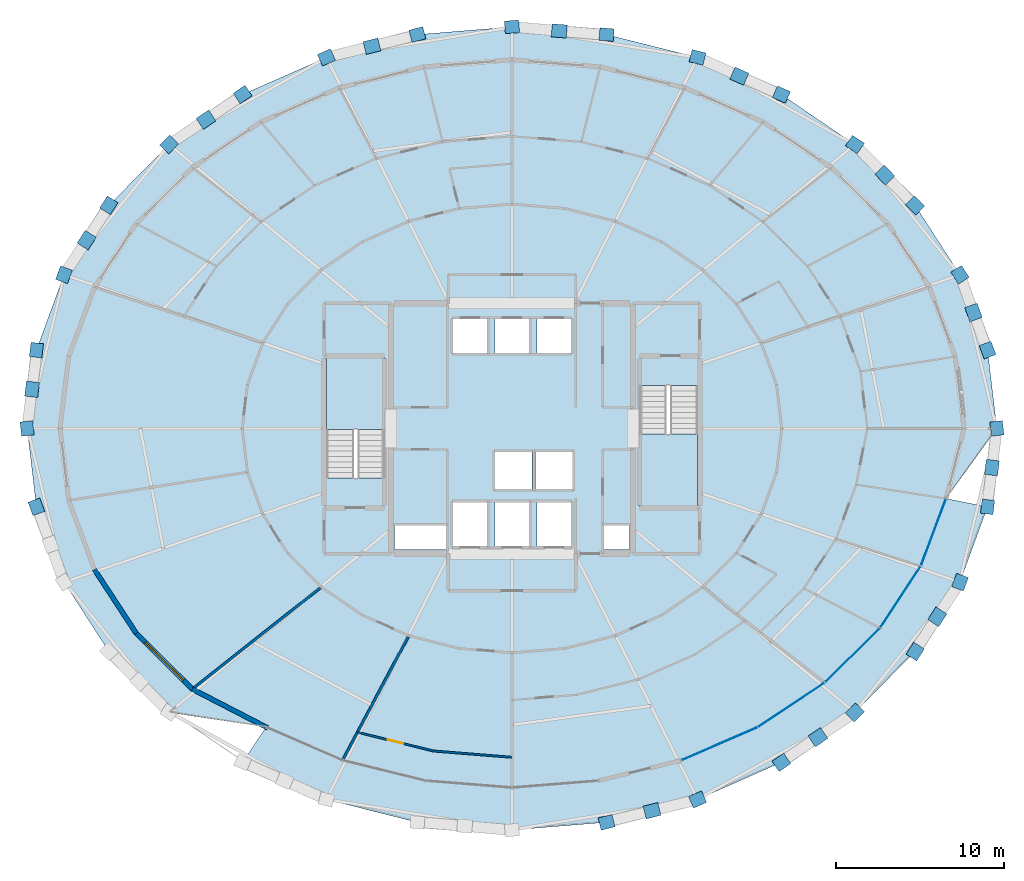
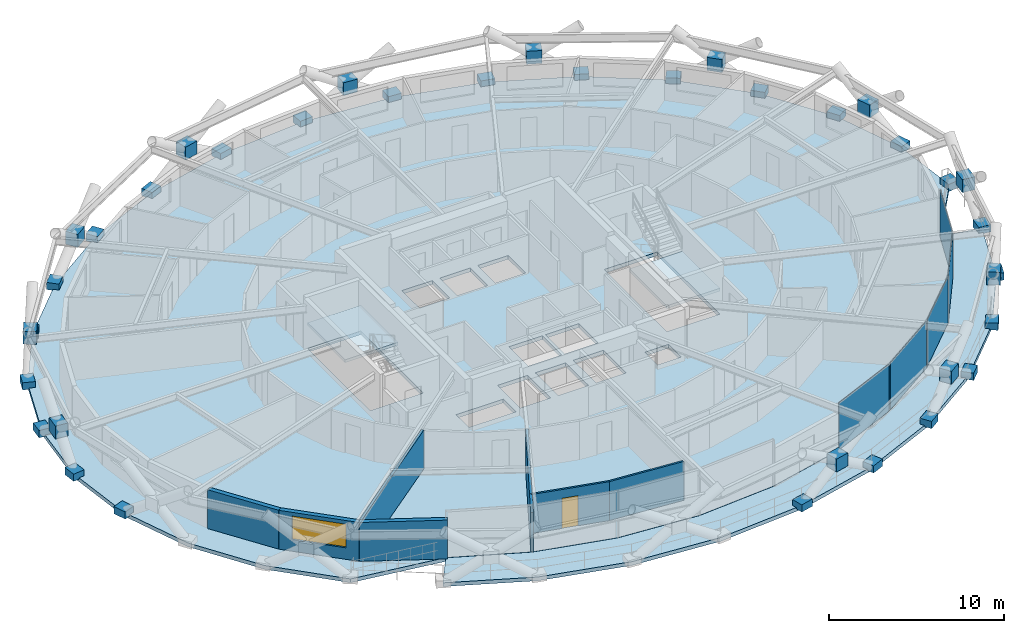
# One storey, part 13 of 21: 42 plates, 7 walls, 4 slabs, 1 door, 1 window, 2 openings, 3 elements without a shape of their own.
"""IFC4 building model written with IfcOpenShell, lengths in metres."""

from ifc_helpers import new_model, si_unit, direction, frame, frame_2d, origin, origin_2d, place, context, subcontext, project, spatial, polyline, rectangle, outline, extrude, material, layer, layer_set, type_object, element, fill, aggregate, save


model = new_model("IFC4")

# Units and contexts
model_context = context("Model", 3, precision=1e-05, world=origin(), true_north=direction((0.0, 1.0)))
body_context = subcontext(model_context, "Body", "Model", "MODEL_VIEW")
ifc_project = project(units=[si_unit("LENGTHUNIT", "METRE"), si_unit("AREAUNIT", "SQUARE_METRE"), si_unit("VOLUMEUNIT", "CUBIC_METRE"), si_unit("PLANEANGLEUNIT", "RADIAN"), si_unit("MASSUNIT", "GRAM", prefix="KILO")], contexts=[model_context])

# Site, building, storey
site_placement = place(None, origin())
site = spatial("IfcSite", under=ifc_project, at=site_placement, CompositionType="ELEMENT")
building_placement = place(site_placement, origin())
building = spatial("IfcBuilding", under=site, at=building_placement, Name="Veldorina Hangang Commons", CompositionType="ELEMENT")
storey_placement = place(building_placement, frame((0.0, 0.0, 98.800048828125)))
storey = spatial("IfcBuildingStorey", under=building, at=storey_placement, Name="L25", CompositionType="ELEMENT", Elevation=98.800048828125)

# Curtain wall, plates
ifc_material_1 = material(Name="Glass Low-E Triple IGU", Category="glass")
ifc_layer_1 = layer(ifc_material_1, 0.179931640625)
ifc_layer_set_1 = layer_set([ifc_layer_1], Name="Glass Low-E Triple IGU")
curtain_wall_type = type_object("IfcCurtainWallType", Name="CW-SYS-Z1", PredefinedType="NOTDEFINED", material=ifc_layer_set_1)
curtain_wall_placement = place(storey_placement, origin())
curtain_wall = element("IfcCurtainWall", 1, at=curtain_wall_placement, inside=storey, type_object=curtain_wall_type, Name="L25 unitised curtain wall CW-L25-R2", PredefinedType="NOTDEFINED")
ifc_layer_2 = layer(ifc_material_1, 0.0400390625)
ifc_layer_set_2 = layer_set([ifc_layer_2], Name="Glass Low-E Triple IGU")
plate_type_1 = type_object("IfcPlateType", Name="CW-PNL-VIS", PredefinedType="CURTAIN_PANEL", material=ifc_layer_set_2)
plate_1_placement = place(storey_placement, frame((44.3544921875, 5.236572265625, 0.014892578125), z_axis=(0.0, 0.0, 1.0), x_axis=(0.917359073914, 0.398060710832, 0.0)))
plate_1 = element("IfcPlate", 2, at=plate_1_placement, type_object=plate_type_1, Name="CW-L25-R2 facet 1 glazed vision panel", PredefinedType="CURTAIN_PANEL", context=body_context, shape_type="SweptSolid", body=[
    extrude(rectangle(XDim=4.783203125, YDim=0.0400390625, at=origin_2d()), origin(), (0.0, 0.0, 1.0), 3.27001953125),
])
plate_2_placement = place(storey_placement, frame((48.626220703125, 7.5537109375, 0.014892578125), z_axis=(0.0, 0.0, 1.0), x_axis=(0.832225170915, 0.554437791728, 0.0)))
plate_2 = element("IfcPlate", 3, at=plate_2_placement, type_object=plate_type_1, Name="CW-L25-R2 facet 2 glazed vision panel", PredefinedType="CURTAIN_PANEL", context=body_context, shape_type="SweptSolid", body=[
    extrude(rectangle(XDim=4.615234375, YDim=0.0400390625, at=origin_2d()), origin(), (0.0, 0.0, 1.0), 3.27001953125),
])
plate_3_placement = place(storey_placement, frame((52.25927734375, 10.5029296875, 0.014892578125), z_axis=(0.0, 0.0, 1.0), x_axis=(0.710946776924, 0.703245817891, 0.0)))
plate_3 = element("IfcPlate", 4, at=plate_3_placement, type_object=plate_type_1, Name="CW-L25-R2 facet 3 glazed vision panel", PredefinedType="CURTAIN_PANEL", context=body_context, shape_type="SweptSolid", body=[
    extrude(rectangle(XDim=4.4267578125, YDim=0.0400390625, at=origin_2d()), origin(), (0.0, 0.0, 1.0), 3.27001953125),
])
plate_4_placement = place(storey_placement, frame((55.113525390625, 13.970703125, 0.014892578125), z_axis=(0.0, 0.0, 1.0), x_axis=(0.549926926986, 0.835212772278, 0.0)))
plate_4 = element("IfcPlate", 5, at=plate_4_placement, type_object=plate_type_1, Name="CW-L25-R2 facet 4 glazed vision panel", PredefinedType="CURTAIN_PANEL", context=body_context, shape_type="SweptSolid", body=[
    extrude(rectangle(XDim=4.245361328125, YDim=0.0400390625, at=origin_2d()), origin(), (0.0, 0.0, 1.0), 3.27001953125),
])
plate_5_placement = place(storey_placement, frame((57.07958984375, 17.823974609375, 0.014892578125), z_axis=(0.0, 0.0, 1.0), x_axis=(0.350027546656, 0.936739406976, 0.0)))
plate_5 = element("IfcPlate", 6, at=plate_5_placement, type_object=plate_type_1, Name="CW-L25-R2 facet 5 glazed vision panel", PredefinedType="CURTAIN_PANEL", context=body_context, shape_type="SweptSolid", body=[
    extrude(rectangle(XDim=4.101318359375, YDim=0.0400390625, at=origin_2d()), origin(), (0.0, 0.0, 1.0), 3.27001953125),
])
aggregate(curtain_wall, [plate_1, plate_2, plate_3, plate_4, plate_5])

# Plates
ifc_material_2 = material(Name="Steel SM460-TMC", Category="steel")
ifc_layer_3 = layer(ifc_material_2, 0.035888671875)
ifc_layer_set_3 = layer_set([ifc_layer_3], Name="Steel SM460-TMC")
plate_type_2 = type_object("IfcPlateType", Name="PL-STAR-36", PredefinedType="USERDEFINED", material=ifc_layer_set_3)
for number, where, z_axis, x_axis, name in (
    (7, (60.85498046875, 24.0, -0.090087890625), (0.0, 0.0, 1.0), (-0.11807468197, 0.993004717752, 0.0), "L25 diagrid star-node gusset plate 00"),
    (8, (60.300537109375, 28.662353515625, -0.090087890625), (0.0, 0.0, 1.0), (-0.343938314328, 0.938992244876, 0.0), "L25 diagrid star-node gusset plate 01"),
):
    element("IfcPlate", number, at=place(storey_placement, frame(where, z_axis=z_axis, x_axis=x_axis)), inside=storey, type_object=plate_type_2, Name=name, ObjectType="GUSSET PLATE", PredefinedType="USERDEFINED", context=body_context, shape_type="SweptSolid", body=[
        extrude(rectangle(XDim=0.85009765625, YDim=0.75, at=origin_2d()), origin(), (0.0, 0.0, 1.0), 0.5),
    ])
plate_6_placement = place(storey_placement, frame((59.462890625, 30.900390625, 1.35107421875), z_axis=(0.0, 0.0, 1.0), x_axis=(-0.343938314328, 0.938992244876, 0.0)))
element("IfcPlate", 9, at=plate_6_placement, inside=storey, type_object=plate_type_2, Name="L25 diagrid X-crossing star-node gusset plate 01", ObjectType="GUSSET PLATE", PredefinedType="USERDEFINED", context=body_context, shape_type="SweptSolid", body=[
    extrude(rectangle(XDim=0.89990234375, YDim=0.780029296875, at=origin_2d()), origin(), (0.0, 0.0, 1.0), 0.89990234375),
])
for number, where, z_axis, x_axis, name in (
    (10, (58.658447265625, 33.1455078125, -0.090087890625), (0.0, 0.0, 1.0), (-0.542236246892, 0.84022607229, 0.0), "L25 diagrid star-node gusset plate 02"),
    (11, (55.9921875, 37.27734375, -0.090087890625), (0.0, 0.0, 1.0), (-0.703865968139, 0.710332808545, 0.0), "L25 diagrid star-node gusset plate 03"),
):
    element("IfcPlate", number, at=place(storey_placement, frame(where, z_axis=z_axis, x_axis=x_axis)), inside=storey, type_object=plate_type_2, Name=name, ObjectType="GUSSET PLATE", PredefinedType="USERDEFINED", context=body_context, shape_type="SweptSolid", body=[
        extrude(rectangle(XDim=0.85009765625, YDim=0.75, at=origin_2d()), origin(), (0.0, 0.0, 1.0), 0.5),
    ])
plate_7_placement = place(storey_placement, frame((54.184326171875, 39.080322265625, 1.35107421875), z_axis=(0.0, 0.0, 1.0), x_axis=(-0.703865968139, 0.710332808545, 0.0)))
element("IfcPlate", 12, at=plate_7_placement, inside=storey, type_object=plate_type_2, Name="L25 diagrid X-crossing star-node gusset plate 03", ObjectType="GUSSET PLATE", PredefinedType="USERDEFINED", context=body_context, shape_type="SweptSolid", body=[
    extrude(rectangle(XDim=0.89990234375, YDim=0.780029296875, at=origin_2d()), origin(), (0.0, 0.0, 1.0), 0.89990234375),
])
for number, where, z_axis, x_axis, name in (
    (13, (52.403564453125, 40.898681640625, -0.090087890625), (0.0, 0.0, 1.0), (-0.827041331437, 0.562141117599, 0.0), "L25 diagrid star-node gusset plate 04"),
    (14, (48.031005859375, 43.870849609375, -0.090087890625), (0.0, 0.0, 1.0), (-0.914409451036, 0.404790508605, 0.0), "L25 diagrid star-node gusset plate 05"),
):
    element("IfcPlate", number, at=place(storey_placement, frame(where, z_axis=z_axis, x_axis=x_axis)), inside=storey, type_object=plate_type_2, Name=name, ObjectType="GUSSET PLATE", PredefinedType="USERDEFINED", context=body_context, shape_type="SweptSolid", body=[
        extrude(rectangle(XDim=0.85009765625, YDim=0.75, at=origin_2d()), origin(), (0.0, 0.0, 1.0), 0.5),
    ])
plate_8_placement = place(storey_placement, frame((45.5283203125, 44.96435546875, 1.35107421875), z_axis=(0.0, 0.0, 1.0), x_axis=(-0.914409451036, 0.404790508605, 0.0)))
element("IfcPlate", 15, at=plate_8_placement, inside=storey, type_object=plate_type_2, Name="L25 diagrid X-crossing star-node gusset plate 05", ObjectType="GUSSET PLATE", PredefinedType="USERDEFINED", context=body_context, shape_type="SweptSolid", body=[
    extrude(rectangle(XDim=0.89990234375, YDim=0.780029296875, at=origin_2d()), origin(), (0.0, 0.0, 1.0), 0.89990234375),
])
for number, where, z_axis, x_axis, name in (
    (16, (43.042236328125, 46.079345703125, -0.090087890625), (0.0, 0.0, 1.0), (-0.969859258303, 0.243665793832, 0.0), "L25 diagrid star-node gusset plate 06"),
    (17, (37.62939453125, 47.439208984375, -0.090087890625), (0.0, 0.0, 1.0), (-0.996690092585, 0.081294891247, 0.0), "L25 diagrid star-node gusset plate 07"),
):
    element("IfcPlate", number, at=place(storey_placement, frame(where, z_axis=z_axis, x_axis=x_axis)), inside=storey, type_object=plate_type_2, Name=name, ObjectType="GUSSET PLATE", PredefinedType="USERDEFINED", context=body_context, shape_type="SweptSolid", body=[
        extrude(rectangle(XDim=0.85009765625, YDim=0.75, at=origin_2d()), origin(), (0.0, 0.0, 1.0), 0.5),
    ])
plate_9_placement = place(storey_placement, frame((34.81298828125, 47.656494140625, 1.35107421875), z_axis=(0.0, 0.0, 1.0), x_axis=(-0.996690092585, 0.081294891247, 0.0)))
element("IfcPlate", 18, at=plate_9_placement, inside=storey, type_object=plate_type_2, Name="L25 diagrid X-crossing star-node gusset plate 07", ObjectType="GUSSET PLATE", PredefinedType="USERDEFINED", context=body_context, shape_type="SweptSolid", body=[
    extrude(rectangle(XDim=0.89990234375, YDim=0.780029296875, at=origin_2d()), origin(), (0.0, 0.0, 1.0), 0.89990234375),
])
for number, where, z_axis, x_axis, name in (
    (19, (32.0, 47.8984375, -0.090087890625), (0.0, 0.0, 1.0), (-0.996690092585, -0.081294891247, 0.0), "L25 diagrid star-node gusset plate 08"),
    (20, (26.37060546875, 47.439208984375, -0.090087890625), (0.0, 0.0, 1.0), (-0.969859258303, -0.243665793832, 0.0), "L25 diagrid star-node gusset plate 09"),
):
    element("IfcPlate", number, at=place(storey_placement, frame(where, z_axis=z_axis, x_axis=x_axis)), inside=storey, type_object=plate_type_2, Name=name, ObjectType="GUSSET PLATE", PredefinedType="USERDEFINED", context=body_context, shape_type="SweptSolid", body=[
        extrude(rectangle(XDim=0.85009765625, YDim=0.75, at=origin_2d()), origin(), (0.0, 0.0, 1.0), 0.5),
    ])
plate_10_placement = place(storey_placement, frame((23.669189453125, 46.747314453125, 1.35107421875), z_axis=(0.0, 0.0, 1.0), x_axis=(-0.969859258303, -0.243665793832, 0.0)))
element("IfcPlate", 21, at=plate_10_placement, inside=storey, type_object=plate_type_2, Name="L25 diagrid X-crossing star-node gusset plate 09", ObjectType="GUSSET PLATE", PredefinedType="USERDEFINED", context=body_context, shape_type="SweptSolid", body=[
    extrude(rectangle(XDim=0.89990234375, YDim=0.780029296875, at=origin_2d()), origin(), (0.0, 0.0, 1.0), 0.89990234375),
])
for number, where, z_axis, x_axis, name in (
    (22, (20.957763671875, 46.079345703125, -0.090087890625), (0.0, 0.0, 1.0), (-0.914409451036, -0.404790508605, 0.0), "L25 diagrid star-node gusset plate 10"),
    (23, (15.968994140625, 43.870849609375, -0.090087890625), (0.0, 0.0, 1.0), (-0.827041331437, -0.562141117599, 0.0), "L25 diagrid star-node gusset plate 11"),
):
    element("IfcPlate", number, at=place(storey_placement, frame(where, z_axis=z_axis, x_axis=x_axis)), inside=storey, type_object=plate_type_2, Name=name, ObjectType="GUSSET PLATE", PredefinedType="USERDEFINED", context=body_context, shape_type="SweptSolid", body=[
        extrude(rectangle(XDim=0.85009765625, YDim=0.75, at=origin_2d()), origin(), (0.0, 0.0, 1.0), 0.5),
    ])
plate_11_placement = place(storey_placement, frame((13.7939453125, 42.375244140625, 1.35107421875), z_axis=(0.0, 0.0, 1.0), x_axis=(-0.827041331437, -0.562141117599, 0.0)))
element("IfcPlate", 24, at=plate_11_placement, inside=storey, type_object=plate_type_2, Name="L25 diagrid X-crossing star-node gusset plate 11", ObjectType="GUSSET PLATE", PredefinedType="USERDEFINED", context=body_context, shape_type="SweptSolid", body=[
    extrude(rectangle(XDim=0.89990234375, YDim=0.780029296875, at=origin_2d()), origin(), (0.0, 0.0, 1.0), 0.89990234375),
])
for number, where, z_axis, x_axis, name in (
    (25, (11.596435546875, 40.898681640625, -0.090087890625), (0.0, 0.0, 1.0), (-0.703865968139, -0.710332808545, 0.0), "L25 diagrid star-node gusset plate 12"),
    (26, (8.0078125, 37.27734375, -0.090087890625), (0.0, 0.0, 1.0), (-0.542236246892, -0.84022607229, 0.0), "L25 diagrid star-node gusset plate 13"),
):
    element("IfcPlate", number, at=place(storey_placement, frame(where, z_axis=z_axis, x_axis=x_axis)), inside=storey, type_object=plate_type_2, Name=name, ObjectType="GUSSET PLATE", PredefinedType="USERDEFINED", context=body_context, shape_type="SweptSolid", body=[
        extrude(rectangle(XDim=0.85009765625, YDim=0.75, at=origin_2d()), origin(), (0.0, 0.0, 1.0), 0.5),
    ])
plate_12_placement = place(storey_placement, frame((6.690185546875, 35.20556640625, 1.35107421875), z_axis=(0.0, 0.0, 1.0), x_axis=(-0.542236246892, -0.84022607229, 0.0)))
element("IfcPlate", 27, at=plate_12_placement, inside=storey, type_object=plate_type_2, Name="L25 diagrid X-crossing star-node gusset plate 13", ObjectType="GUSSET PLATE", PredefinedType="USERDEFINED", context=body_context, shape_type="SweptSolid", body=[
    extrude(rectangle(XDim=0.89990234375, YDim=0.780029296875, at=origin_2d()), origin(), (0.0, 0.0, 1.0), 0.89990234375),
])
for number, where, z_axis, x_axis, name in (
    (28, (5.341552734375, 33.1455078125, -0.090087890625), (0.0, 0.0, 1.0), (-0.343938314328, -0.938992244876, 0.0), "L25 diagrid star-node gusset plate 14"),
    (29, (3.699462890625, 28.662353515625, -0.090087890625), (0.0, 0.0, 1.0), (-0.11807468197, -0.993004717752, 0.0), "L25 diagrid star-node gusset plate 15"),
):
    element("IfcPlate", number, at=place(storey_placement, frame(where, z_axis=z_axis, x_axis=x_axis)), inside=storey, type_object=plate_type_2, Name=name, ObjectType="GUSSET PLATE", PredefinedType="USERDEFINED", context=body_context, shape_type="SweptSolid", body=[
        extrude(rectangle(XDim=0.85009765625, YDim=0.75, at=origin_2d()), origin(), (0.0, 0.0, 1.0), 0.5),
    ])
plate_13_placement = place(storey_placement, frame((3.439697265625, 26.330078125, 1.350830078125), z_axis=(0.0, 0.0, 1.0), x_axis=(-0.11807468197, -0.993004717752, 0.0)))
element("IfcPlate", 30, at=plate_13_placement, inside=storey, type_object=plate_type_2, Name="L25 diagrid X-crossing star-node gusset plate 15", ObjectType="GUSSET PLATE", PredefinedType="USERDEFINED", context=body_context, shape_type="SweptSolid", body=[
    extrude(rectangle(XDim=0.89990234375, YDim=0.780029296875, at=origin_2d()), origin(), (0.0, 0.0, 1.0), 0.89990234375),
])
for number, where, z_axis, x_axis, name in (
    (31, (3.14501953125, 24.0, -0.090087890625), (0.0, 0.0, 1.0), (0.11807468197, -0.993004717752, 0.0), "L25 diagrid star-node gusset plate 16"),
    (32, (3.699462890625, 19.337646484375, -0.090087890625), (0.0, 0.0, 1.0), (0.343938314328, -0.938992244876, 0.0), "L25 diagrid star-node gusset plate 17"),
    (33, (37.62939453125, 0.560791015625, -0.090087890625), (0.0, 0.0, 1.0), (0.969859258303, 0.243665793832, 0.0), "L25 diagrid star-node gusset plate 25"),
):
    element("IfcPlate", number, at=place(storey_placement, frame(where, z_axis=z_axis, x_axis=x_axis)), inside=storey, type_object=plate_type_2, Name=name, ObjectType="GUSSET PLATE", PredefinedType="USERDEFINED", context=body_context, shape_type="SweptSolid", body=[
        extrude(rectangle(XDim=0.85009765625, YDim=0.75, at=origin_2d()), origin(), (0.0, 0.0, 1.0), 0.5),
    ])
plate_14_placement = place(storey_placement, frame((40.330810546875, 1.252685546875, 1.35107421875), z_axis=(0.0, 0.0, 1.0), x_axis=(0.969859258303, 0.243665793832, 0.0)))
element("IfcPlate", 34, at=plate_14_placement, inside=storey, type_object=plate_type_2, Name="L25 diagrid X-crossing star-node gusset plate 25", ObjectType="GUSSET PLATE", PredefinedType="USERDEFINED", context=body_context, shape_type="SweptSolid", body=[
    extrude(rectangle(XDim=0.89990234375, YDim=0.780029296875, at=origin_2d()), origin(), (0.0, 0.0, 1.0), 0.89990234375),
])
for number, where, z_axis, x_axis, name in (
    (35, (43.042236328125, 1.920654296875, -0.090087890625), (0.0, 0.0, 1.0), (0.914409451036, 0.404790508605, 0.0), "L25 diagrid star-node gusset plate 26"),
    (36, (48.031005859375, 4.129150390625, -0.090087890625), (0.0, 0.0, 1.0), (0.827041331437, 0.562141117599, 0.0), "L25 diagrid star-node gusset plate 27"),
):
    element("IfcPlate", number, at=place(storey_placement, frame(where, z_axis=z_axis, x_axis=x_axis)), inside=storey, type_object=plate_type_2, Name=name, ObjectType="GUSSET PLATE", PredefinedType="USERDEFINED", context=body_context, shape_type="SweptSolid", body=[
        extrude(rectangle(XDim=0.85009765625, YDim=0.75, at=origin_2d()), origin(), (0.0, 0.0, 1.0), 0.5),
    ])
plate_15_placement = place(storey_placement, frame((50.2060546875, 5.624755859375, 1.35107421875), z_axis=(0.0, 0.0, 1.0), x_axis=(0.827041331437, 0.562141117599, 0.0)))
element("IfcPlate", 37, at=plate_15_placement, inside=storey, type_object=plate_type_2, Name="L25 diagrid X-crossing star-node gusset plate 27", ObjectType="GUSSET PLATE", PredefinedType="USERDEFINED", context=body_context, shape_type="SweptSolid", body=[
    extrude(rectangle(XDim=0.89990234375, YDim=0.780029296875, at=origin_2d()), origin(), (0.0, 0.0, 1.0), 0.89990234375),
])
for number, where, z_axis, x_axis, name in (
    (38, (52.403564453125, 7.101318359375, -0.090087890625), (0.0, 0.0, 1.0), (0.703865968139, 0.710332808545, 0.0), "L25 diagrid star-node gusset plate 28"),
    (39, (55.9921875, 10.72265625, -0.090087890625), (0.0, 0.0, 1.0), (0.542236246892, 0.84022607229, 0.0), "L25 diagrid star-node gusset plate 29"),
):
    element("IfcPlate", number, at=place(storey_placement, frame(where, z_axis=z_axis, x_axis=x_axis)), inside=storey, type_object=plate_type_2, Name=name, ObjectType="GUSSET PLATE", PredefinedType="USERDEFINED", context=body_context, shape_type="SweptSolid", body=[
        extrude(rectangle(XDim=0.85009765625, YDim=0.75, at=origin_2d()), origin(), (0.0, 0.0, 1.0), 0.5),
    ])
plate_16_placement = place(storey_placement, frame((57.309814453125, 12.79443359375, 1.35107421875), z_axis=(0.0, 0.0, 1.0), x_axis=(0.542236246892, 0.84022607229, 0.0)))
element("IfcPlate", 40, at=plate_16_placement, inside=storey, type_object=plate_type_2, Name="L25 diagrid X-crossing star-node gusset plate 29", ObjectType="GUSSET PLATE", PredefinedType="USERDEFINED", context=body_context, shape_type="SweptSolid", body=[
    extrude(rectangle(XDim=0.89990234375, YDim=0.780029296875, at=origin_2d()), origin(), (0.0, 0.0, 1.0), 0.89990234375),
])
for number, where, z_axis, x_axis, name in (
    (41, (58.658447265625, 14.8544921875, -0.090087890625), (0.0, 0.0, 1.0), (0.343938314328, 0.938992244876, 0.0), "L25 diagrid star-node gusset plate 30"),
    (42, (60.300537109375, 19.337646484375, -0.090087890625), (0.0, 0.0, 1.0), (0.11807468197, 0.993004717752, 0.0), "L25 diagrid star-node gusset plate 31"),
):
    element("IfcPlate", number, at=place(storey_placement, frame(where, z_axis=z_axis, x_axis=x_axis)), inside=storey, type_object=plate_type_2, Name=name, ObjectType="GUSSET PLATE", PredefinedType="USERDEFINED", context=body_context, shape_type="SweptSolid", body=[
        extrude(rectangle(XDim=0.85009765625, YDim=0.75, at=origin_2d()), origin(), (0.0, 0.0, 1.0), 0.5),
    ])
plate_17_placement = place(storey_placement, frame((60.560302734375, 21.669921875, 1.350830078125), z_axis=(0.0, 0.0, 1.0), x_axis=(0.11807468197, 0.993004717752, 0.0)))
element("IfcPlate", 43, at=plate_17_placement, inside=storey, type_object=plate_type_2, Name="L25 diagrid X-crossing star-node gusset plate 31", ObjectType="GUSSET PLATE", PredefinedType="USERDEFINED", context=body_context, shape_type="SweptSolid", body=[
    extrude(rectangle(XDim=0.89990234375, YDim=0.780029296875, at=origin_2d()), origin(), (0.0, 0.0, 1.0), 0.89990234375),
])

# Slabs
ifc_material_3 = material(Name="Concrete C40/50", Category="concrete")
ifc_layer_4 = layer(ifc_material_3, 0.260009765625)
ifc_layer_set_4 = layer_set([ifc_layer_4], Name="Concrete C40/50")
slab_type_1 = type_object("IfcSlabType", Name="SL-FLR-260", PredefinedType="FLOOR", material=ifc_layer_set_4)
slab_1_placement = place(storey_placement, frame((0.0, 0.0, -0.260009765625)))
element("IfcSlab", 44, at=slab_1_placement, inside=storey, type_object=slab_type_1, Name="L25 tower structural floor slab", PredefinedType="FLOOR", context=body_context, shape_type="SweptSolid", body=[
    extrude(outline(polyline([(60.85498046875, 24.0), (60.300537109375, 28.662353515625), (58.658447265625, 33.1455078125), (55.9921875, 37.27734375), (52.403564453125, 40.898681640625), (48.031005859375, 43.870849609375), (43.042236328125, 46.079345703125), (37.62939453125, 47.439208984375), (32.0, 47.8984375), (26.37060546875, 47.439208984375), (20.957763671875, 46.079345703125), (15.968994140625, 43.870849609375), (11.596435546875, 40.898681640625), (8.0078125, 37.27734375), (5.341552734375, 33.1455078125), (3.699462890625, 28.662353515625), (3.14501953125, 24.0), (3.699462890625, 19.337646484375), (5.341552734375, 14.8544921875), (8.0078125, 10.72265625), (11.596435546875, 7.101318359375), (17.369140625, 6.224365234375), (21.922119140625, 4.248779296875), (26.8623046875, 3.0322265625), (32.0, 2.62158203125), (37.1376953125, 3.0322265625), (42.077880859375, 4.248779296875), (46.630859375, 6.224365234375), (50.62158203125, 8.883056640625), (53.896728515625, 12.122802734375), (56.330322265625, 15.81884765625), (57.8291015625, 19.829345703125), (60.85498046875, 24.0)]), holes=[polyline([(20.949951171875, 21.05810546875), (20.949951171875, 28.199951171875), (24.449951171875, 28.199951171875), (24.449951171875, 21.05810546875), (20.949951171875, 21.05810546875)]), polyline([(43.050048828125, 26.5419921875), (43.050048828125, 19.39990234375), (39.550048828125, 19.39990234375), (39.550048828125, 26.5419921875), (43.050048828125, 26.5419921875)]), polyline([(28.5, 30.5), (30.5, 30.5), (30.5, 28.5), (28.5, 28.5), (28.5, 30.5)]), polyline([(31.0, 30.5), (33.0, 30.5), (33.0, 28.5), (31.0, 28.5), (31.0, 30.5)]), polyline([(33.5, 30.5), (35.5, 30.5), (35.5, 28.5), (33.5, 28.5), (33.5, 30.5)]), polyline([(31.0, 22.60009765625), (33.199951171875, 22.60009765625), (33.199951171875, 20.39990234375), (31.0, 20.39990234375), (31.0, 22.60009765625)]), polyline([(33.39990234375, 22.60009765625), (35.60009765625, 22.60009765625), (35.60009765625, 20.39990234375), (33.39990234375, 20.39990234375), (33.39990234375, 22.60009765625)]), polyline([(28.5, 19.60009765625), (30.5, 19.60009765625), (30.5, 17.0), (28.5, 17.0), (28.5, 19.60009765625)]), polyline([(31.0, 19.60009765625), (33.0, 19.60009765625), (33.0, 17.0), (31.0, 17.0), (31.0, 19.60009765625)]), polyline([(33.5, 19.60009765625), (35.5, 19.60009765625), (35.5, 17.0), (33.5, 17.0), (33.5, 19.60009765625)]), polyline([(25.0, 18.25), (28.10009765625, 18.25), (28.10009765625, 16.800048828125), (25.0, 16.800048828125), (25.0, 18.25)]), polyline([(37.449951171875, 18.25), (39.0, 18.25), (39.0, 16.800048828125), (37.449951171875, 16.800048828125), (37.449951171875, 18.25)])]), origin(), (0.0, 0.0, 1.0), 0.260009765625),
])
slab_2_placement = place(storey_placement, frame((0.0, 0.0, -0.260009765625)))
element("IfcSlab", 45, at=slab_2_placement, inside=storey, type_object=slab_type_1, Name="L25 sky-garden loggia outdoor slab", PredefinedType="FLOOR", context=body_context, shape_type="SweptSolid", body=[
    extrude(outline(polyline([(60.300537109375, 19.337646484375), (58.658447265625, 14.8544921875), (55.9921875, 10.72265625), (52.403564453125, 7.101318359375), (48.031005859375, 4.129150390625), (43.042236328125, 1.920654296875), (37.62939453125, 0.560791015625), (32.0, 0.1015625), (26.37060546875, 0.560791015625), (20.957763671875, 1.920654296875), (15.968994140625, 4.129150390625), (17.35986328125, 6.210693359375), (17.364990234375, 6.2099609375), (21.916015625, 4.235107421875), (21.917236328125, 4.234619140625), (21.91845703125, 4.234130859375), (26.858642578125, 3.017578125), (26.85986328125, 3.017578125), (26.861083984375, 3.017333984375), (31.998779296875, 2.6064453125), (32.0, 2.6064453125), (32.001220703125, 2.6064453125), (37.138916015625, 3.017333984375), (37.14013671875, 3.017578125), (37.141357421875, 3.017578125), (42.08154296875, 4.234130859375), (42.082763671875, 4.234619140625), (42.083984375, 4.235107421875), (46.636962890625, 6.210693359375), (46.63818359375, 6.211181640625), (46.63916015625, 6.2119140625), (50.6298828125, 8.87060546875), (50.631103515625, 8.87158203125), (50.632080078125, 8.872314453125), (53.9072265625, 12.112060546875), (53.908447265625, 12.11328125), (53.9091796875, 12.114501953125), (56.343017578125, 15.810546875), (56.34375, 15.81201171875), (56.344482421875, 15.8134765625), (57.84228515625, 19.822021484375), (57.84521484375, 19.826171875), (60.300537109375, 19.337646484375)])), origin(), (0.0, 0.0, 1.0), 0.260009765625),
])

# Stair, slab
stair_type = type_object("IfcStairType", Name="STR-DOG-1650-20R", PredefinedType="HALF_TURN_STAIR", material=ifc_material_3)
stair_1_placement = place(storey_placement, origin())
stair_1 = element("IfcStair", 46, at=stair_1_placement, inside=storey, type_object=stair_type, Name="L25 Exit stair ST-1", PredefinedType="HALF_TURN_STAIR")
ifc_layer_5 = layer(ifc_material_3, 0.199951171875)
ifc_layer_set_5 = layer_set([ifc_layer_5], Name="Concrete C40/50")
slab_type_2 = type_object("IfcSlabType", Name="SL-LND-200", PredefinedType="LANDING", material=ifc_layer_set_5)
slab_3_placement = place(storey_placement, frame((0.0, 0.0, 1.599853515625)))
slab_3 = element("IfcSlab", 47, at=slab_3_placement, type_object=slab_type_2, Name="ST-1 landing 1", PredefinedType="LANDING", context=body_context, shape_type="SweptSolid", body=[
    extrude(outline(polyline([(24.449951171875, 23.929931640625), (24.449951171875, 28.199951171875), (20.949951171875, 28.199951171875), (20.949951171875, 23.929931640625), (24.449951171875, 23.929931640625)])), origin(), (0.0, 0.0, 1.0), 0.2001953125),
])
aggregate(stair_1, [slab_3])

stair_2_placement = place(storey_placement, origin())
stair_2 = element("IfcStair", 48, at=stair_2_placement, inside=storey, type_object=stair_type, Name="L25 Exit stair ST-2", PredefinedType="HALF_TURN_STAIR")
slab_4_placement = place(storey_placement, frame((0.0, 0.0, 1.599853515625)))
slab_4 = element("IfcSlab", 49, at=slab_4_placement, type_object=slab_type_2, Name="ST-2 landing 1", PredefinedType="LANDING", context=body_context, shape_type="SweptSolid", body=[
    extrude(outline(polyline([(39.550048828125, 23.669921875), (39.550048828125, 19.39990234375), (43.050048828125, 19.39990234375), (43.050048828125, 23.669921875), (39.550048828125, 23.669921875)])), origin(), (0.0, 0.0, 1.0), 0.2001953125),
])
aggregate(stair_2, [slab_4])

# Wall
ifc_material_4 = material(Name="Stone Roman Travertine", Category="masonry")
ifc_layer_6 = layer(ifc_material_4, 0.280029296875)
ifc_layer_set_6 = layer_set([ifc_layer_6], Name="Stone Roman Travertine")
wall_type_1 = type_object("IfcWallType", Name="EW-TRAV-280", PredefinedType="STANDARD", material=ifc_layer_set_6)
wall_1_placement = place(storey_placement, frame((7.15234375, 15.6044921875, 0.0), z_axis=(0.0, 0.0, 1.0), x_axis=(0.548073017765, -0.836430491552, 0.0)))
element("IfcWall", 50, at=wall_1_placement, inside=storey, type_object=wall_type_1, Name="L25 travertine facade wall 18", PredefinedType="STANDARD", context=body_context, shape_type="SweptSolid", body=[
    extrude(rectangle(XDim=4.53466796875, YDim=0.280029296875, at=frame_2d((2.267333984375, 0.0))), origin(), (0.0, 0.0, 1.0), 2.7099609375),
])

# Wall, opening, window
wall_2_placement = place(storey_placement, frame((9.6376953125, 11.8115234375, 0.0), z_axis=(0.0, 0.0, 1.0), x_axis=(0.709251981277, -0.704955053216, 0.0)))
wall_2 = element("IfcWall", 51, at=wall_2_placement, inside=storey, type_object=wall_type_1, Name="L25 travertine facade wall 19", PredefinedType="STANDARD", context=body_context, shape_type="SweptSolid", body=[
    extrude(rectangle(XDim=4.7158203125, YDim=0.280029296875, at=frame_2d((2.35791015625, 0.0))), origin(), (0.0, 0.0, 1.0), 2.7099609375),
])
opening_1_placement = place(wall_2_placement, frame((0.758056640625, 0.0, 0.800048828125)))
opening_1 = element("IfcOpeningElement", 52, at=opening_1_placement, cuts=wall_2, Name="Opening W-01", PredefinedType="OPENING", context=body_context, shape_type="SweptSolid", body=[
    extrude(rectangle(XDim=3.199951171875, YDim=1.64990234375, at=frame_2d((1.60009765625, 0.824951171875))), frame((0.0, 0.14990234375, 0.0), z_axis=(0.0, -1.0, 0.0), x_axis=(1.0, 0.0, 0.0)), (0.0, 0.0, 1.0), 0.300048828125),
])
window_type = type_object("IfcWindowType", Name="WIN-TWR-3200", PartitioningType="SINGLE_PANEL", PredefinedType="WINDOW", material=ifc_material_1)
window_placement = place(opening_1_placement, origin())
window = element("IfcWindow", 53, at=window_placement, inside=storey, type_object=window_type, Name="L25 facade window 19", OverallHeight=1.64990234375, OverallWidth=3.199951171875, PartitioningType="SINGLE_PANEL", PredefinedType="WINDOW", context=body_context, shape_type="SweptSolid", body=[
    extrude(rectangle(XDim=3.199951171875, YDim=1.64990234375, at=frame_2d((1.60009765625, 0.824951171875))), frame((0.0, 0.030029296875, 0.0), z_axis=(0.0, -1.0, 0.0), x_axis=(1.0, 0.0, 0.0)), (0.0, 0.0, 1.0), 0.06005859375),
])
fill(opening_1, window)

# Walls
wall_3_placement = place(storey_placement, frame((12.982421875, 8.487060546875, 0.0), z_axis=(0.0, 0.0, 1.0), x_axis=(0.888733623208, -0.458423981681, 0.0)))
element("IfcWall", 54, at=wall_3_placement, inside=storey, type_object=wall_type_1, Name="L25 travertine facade wall 20", PredefinedType="STANDARD", context=body_context, shape_type="SweptSolid", body=[
    extrude(rectangle(XDim=5.02783203125, YDim=0.280029296875, at=frame_2d((2.513916015625, 0.0))), origin(), (0.0, 0.0, 1.0), 2.7099609375),
])
ifc_material_5 = material(Name="Gypsum Fire-Rated Twin Stud Wall", Category="gypsum")
ifc_layer_7 = layer(ifc_material_5, 0.159912109375)
ifc_layer_set_7 = layer_set([ifc_layer_7], Name="Gypsum Fire-Rated Twin Stud Wall")
wall_type_2 = type_object("IfcWallType", Name="WL-FIRE-160", PredefinedType="SOLIDWALL", material=ifc_layer_set_7)
wall_4_placement = place(storey_placement, frame((20.65087890625, 14.56005859375, 0.0), z_axis=(0.0, 0.0, 1.0), x_axis=(-0.783943059449, -0.620832730727, 0.0)))
element("IfcWall", 55, at=wall_4_placement, inside=storey, type_object=wall_type_2, Name="L25 Unit party wall 20 126", PredefinedType="SOLIDWALL", context=body_context, shape_type="SweptSolid", body=[
    extrude(rectangle(XDim=9.732177734375, YDim=0.159912109375, at=frame_2d((4.8662109375, 0.0))), origin(), (0.0, 0.0, 1.0), 2.7099609375),
])
wall_5_placement = place(storey_placement, frame((25.85791015625, 11.666259765625, 0.0), z_axis=(0.0, 0.0, 1.0), x_axis=(-0.468738163825, -0.883337157474, 0.0)))
element("IfcWall", 56, at=wall_5_placement, inside=storey, type_object=wall_type_2, Name="L25 Unit party wall 22 127", PredefinedType="SOLIDWALL", context=body_context, shape_type="SweptSolid", body=[
    extrude(rectangle(XDim=8.34716796875, YDim=0.159912109375, at=frame_2d((4.173583984375, 0.0))), origin(), (0.0, 0.0, 1.0), 2.7099609375),
])

# Wall, opening, door
ifc_material_6 = material(Name="Gypsum Acoustic Stud Partition", Category="gypsum")
ifc_layer_8 = layer(ifc_material_6, 0.1201171875)
ifc_layer_set_8 = layer_set([ifc_layer_8], Name="Gypsum Acoustic Stud Partition")
wall_type_3 = type_object("IfcWallType", Name="WL-PART-120", PredefinedType="PARTITIONING", material=ifc_layer_set_8)
wall_6_placement = place(storey_placement, frame((22.80908203125, 5.9208984375, 0.0), z_axis=(0.0, 0.0, 1.0), x_axis=(0.970791883399, -0.239923152543, 0.0)))
wall_6 = element("IfcWall", 57, at=wall_6_placement, inside=storey, type_object=wall_type_3, Name="L25 Laundry split 0 128", PredefinedType="PARTITIONING", context=body_context, shape_type="SweptSolid", body=[
    extrude(rectangle(XDim=4.64111328125, YDim=0.1201171875, at=frame_2d((2.320556640625, 0.0))), origin(), (0.0, 0.0, 1.0), 2.7099609375),
])
opening_2_placement = place(wall_6_placement, frame((1.845458984375, 0.0, 0.0)))
opening_2 = element("IfcOpeningElement", 58, at=opening_2_placement, cuts=wall_6, Name="Opening D-02", PredefinedType="OPENING", context=body_context, shape_type="SweptSolid", body=[
    extrude(rectangle(XDim=0.949951171875, YDim=2.10009765625, at=frame_2d((0.47509765625, 1.050048828125))), frame((0.0, 0.070068359375, 0.0), z_axis=(0.0, -1.0, 0.0), x_axis=(1.0, 0.0, 0.0)), (0.0, 0.0, 1.0), 0.14013671875),
])
ifc_material_7 = material(Name="Timber Solid Core Acoustic", Category="wood")
door_type = type_object("IfcDoorType", Name="DR-INT-950", OperationType="SINGLE_SWING_LEFT", PredefinedType="DOOR", material=ifc_material_7)
door_placement = place(opening_2_placement, origin())
door = element("IfcDoor", 59, at=door_placement, inside=storey, type_object=door_type, Name="L25 Resident laundry inner door 047", OperationType="SINGLE_SWING_LEFT", OverallHeight=2.10009765625, OverallWidth=0.949951171875, PredefinedType="DOOR", context=body_context, shape_type="SweptSolid", body=[
    extrude(rectangle(XDim=0.949951171875, YDim=2.10009765625, at=frame_2d((0.47509765625, 1.050048828125))), frame((0.0, 0.02490234375, 0.0), z_axis=(0.0, -1.0, 0.0), x_axis=(1.0, 0.0, 0.0)), (0.0, 0.0, 1.0), 0.050048828125),
])
fill(opening_2, door)

# Wall
wall_7_placement = place(storey_placement, frame((27.314697265625, 4.807373046875, 0.0), z_axis=(0.0, 0.0, 1.0), x_axis=(0.996795760651, -0.079988821396, 0.0)))
element("IfcWall", 60, at=wall_7_placement, inside=storey, type_object=wall_type_3, Name="L25 Laundry split 1 129", PredefinedType="PARTITIONING", context=body_context, shape_type="SweptSolid", body=[
    extrude(rectangle(XDim=4.700439453125, YDim=0.1201171875, at=frame_2d((2.35009765625, 0.0))), origin(), (0.0, 0.0, 1.0), 2.7099609375),
])

save(model, "model.ifc")
